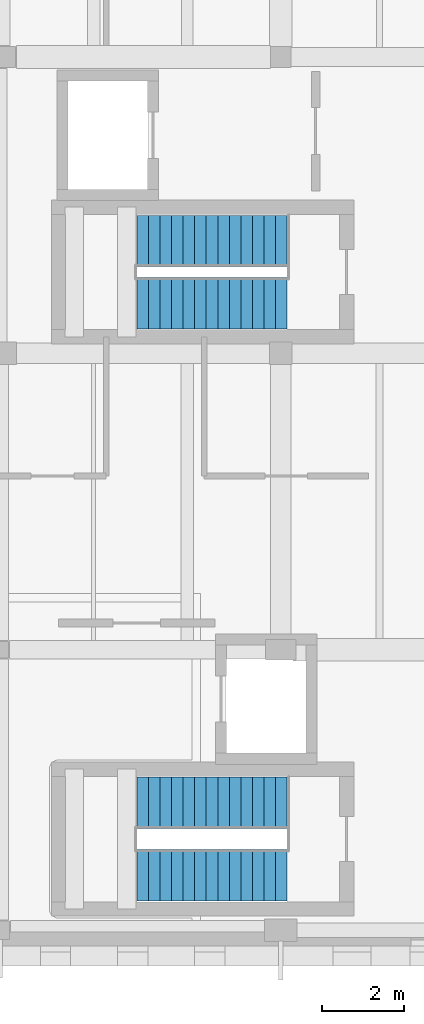
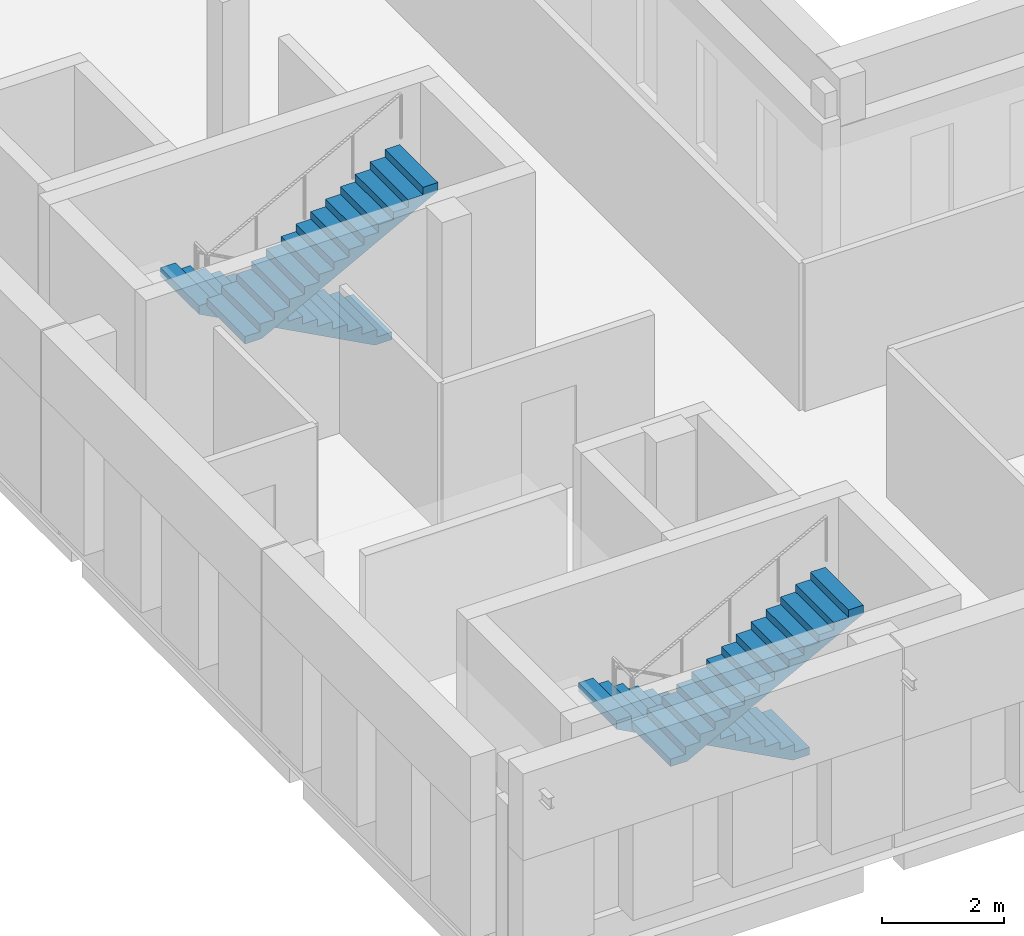
# One storey, part 27 of 34: 4 stair flights, 2 elements without a shape of their own.
"""IFC4 building model written with IfcOpenShell, lengths in metres."""

from ifc_helpers import new_model, si_unit, direction, frame, origin, place, context, subcontext, project, spatial, polyline, outline, extrude, material, type_object, element, aggregate, save


model = new_model("IFC4")

# Units and contexts
model_context = context("Model", 3, precision=1e-05, world=origin(), true_north=direction((0.0, 1.0)))
body_context = subcontext(model_context, "Body", "Model", "MODEL_VIEW")
ifc_project = project(units=[si_unit("LENGTHUNIT", "METRE"), si_unit("AREAUNIT", "SQUARE_METRE"), si_unit("VOLUMEUNIT", "CUBIC_METRE"), si_unit("PLANEANGLEUNIT", "RADIAN"), si_unit("MASSUNIT", "GRAM", prefix="KILO")], contexts=[model_context])

# Site, building, storey
site_placement = place(None, origin())
site = spatial("IfcSite", under=ifc_project, at=site_placement, CompositionType="ELEMENT")
building_placement = place(site_placement, origin())
building = spatial("IfcBuilding", under=site, at=building_placement, Name="Vardoun Plaza Health Centre", CompositionType="ELEMENT")
storey_placement = place(building_placement, frame((0.0, 0.0, 12.89990234375)))
storey = spatial("IfcBuildingStorey", under=building, at=storey_placement, Name="L03", CompositionType="ELEMENT", Elevation=12.89990234375)

# Stair, stair flights
ifc_material_1 = material(Name="Concrete C35/45", Category="concrete")
stair_type = type_object("IfcStairType", Name="ST-01", PredefinedType="HALF_TURN_STAIR", material=ifc_material_1)
stair_1_placement = place(storey_placement, origin())
stair_1 = element("IfcStair", 1, at=stair_1_placement, inside=storey, type_object=stair_type, Name="Core C1 L03 Exit Stair ST-C1-L03", PredefinedType="HALF_TURN_STAIR")
ifc_material_2 = material(Name="Concrete C35/45", Category="concrete")
stair_flight_type = type_object("IfcStairFlightType", Name="SF-01", PredefinedType="STRAIGHT", material=ifc_material_2)
stair_flight_1_placement = place(storey_placement, frame((11.85009765625, 7.97998046875, 0.0), z_axis=(0.0, 0.0, 1.0), x_axis=(-1.0, 0.0, 0.0)))
stair_flight_1 = element("IfcStairFlight", 2, at=stair_flight_1_placement, type_object=stair_flight_type, Name="ST-C1-L03 flight 1", NumberOfRisers=14, NumberOfTreads=13, PredefinedType="STRAIGHT", RiserHeight=0.15, TreadLength=0.28, context=body_context, shape_type="SweptSolid", body=[
    extrude(outline(polyline([(0.0, 0.0), (0.0, 0.14990234375), (0.280029296875, 0.14990234375), (0.280029296875, 0.300048828125), (0.56005859375, 0.300048828125), (0.56005859375, 0.449951171875), (0.840087890625, 0.449951171875), (0.840087890625, 0.60009765625), (1.1201171875, 0.60009765625), (1.1201171875, 0.75), (1.39990234375, 0.75), (1.39990234375, 0.89990234375), (1.679931640625, 0.89990234375), (1.679931640625, 1.050048828125), (1.9599609375, 1.050048828125), (1.9599609375, 1.199951171875), (2.239990234375, 1.199951171875), (2.239990234375, 1.35009765625), (2.52001953125, 1.35009765625), (2.52001953125, 1.5), (2.800048828125, 1.5), (2.800048828125, 1.64990234375), (3.080078125, 1.64990234375), (3.080078125, 1.800048828125), (3.360107421875, 1.800048828125), (3.360107421875, 1.949951171875), (3.639892578125, 1.949951171875), (3.639892578125, 2.10009765625), (3.639892578125, 1.780029296875), (0.3173828125, 0.0), (0.0, 0.0)])), frame((0.0, 0.625, 0.0), z_axis=(0.0, -1.0, 0.0), x_axis=(1.0, 0.0, 0.0)), (0.0, 0.0, 1.0), 1.25),
])
stair_flight_2_placement = place(storey_placement, frame((8.2099609375, 6.219970703125, 2.10009765625), z_axis=(0.0, 0.0, 1.0), x_axis=(1.0, 0.0, 0.0)))
stair_flight_2 = element("IfcStairFlight", 3, at=stair_flight_2_placement, type_object=stair_flight_type, Name="ST-C1-L03 flight 2", NumberOfRisers=14, NumberOfTreads=13, PredefinedType="STRAIGHT", RiserHeight=0.15, TreadLength=0.28, context=body_context, shape_type="SweptSolid", body=[
    extrude(outline(polyline([(0.0, 0.0), (0.0, 0.14990234375), (0.280029296875, 0.14990234375), (0.280029296875, 0.300048828125), (0.56005859375, 0.300048828125), (0.56005859375, 0.449951171875), (0.840087890625, 0.449951171875), (0.840087890625, 0.60009765625), (1.1201171875, 0.60009765625), (1.1201171875, 0.75), (1.39990234375, 0.75), (1.39990234375, 0.89990234375), (1.679931640625, 0.89990234375), (1.679931640625, 1.050048828125), (1.9599609375, 1.050048828125), (1.9599609375, 1.199951171875), (2.239990234375, 1.199951171875), (2.239990234375, 1.35009765625), (2.52001953125, 1.35009765625), (2.52001953125, 1.5), (2.800048828125, 1.5), (2.800048828125, 1.64990234375), (3.080078125, 1.64990234375), (3.080078125, 1.800048828125), (3.360107421875, 1.800048828125), (3.360107421875, 1.949951171875), (3.639892578125, 1.949951171875), (3.639892578125, 2.10009765625), (3.639892578125, 1.780029296875), (0.3173828125, 0.0), (0.0, 0.0)])), frame((0.0, 0.625, 0.0), z_axis=(0.0, -1.0, 0.0), x_axis=(1.0, 0.0, 0.0)), (0.0, 0.0, 1.0), 1.25),
])
aggregate(stair_1, [stair_flight_1, stair_flight_2])

stair_2_placement = place(storey_placement, origin())
stair_2 = element("IfcStair", 4, at=stair_2_placement, inside=storey, type_object=stair_type, Name="Core C2 L03 Exit Stair ST-C2-L03", PredefinedType="HALF_TURN_STAIR")
stair_flight_3_placement = place(storey_placement, frame((11.85009765625, 21.6298828125, 0.0), z_axis=(0.0, 0.0, 1.0), x_axis=(-1.0, 0.0, 0.0)))
stair_flight_3 = element("IfcStairFlight", 5, at=stair_flight_3_placement, type_object=stair_flight_type, Name="ST-C2-L03 flight 1", NumberOfRisers=14, NumberOfTreads=13, PredefinedType="STRAIGHT", RiserHeight=0.15, TreadLength=0.28, context=body_context, shape_type="SweptSolid", body=[
    extrude(outline(polyline([(0.0, 0.0), (0.0, 0.14990234375), (0.280029296875, 0.14990234375), (0.280029296875, 0.300048828125), (0.56005859375, 0.300048828125), (0.56005859375, 0.449951171875), (0.840087890625, 0.449951171875), (0.840087890625, 0.60009765625), (1.1201171875, 0.60009765625), (1.1201171875, 0.75), (1.39990234375, 0.75), (1.39990234375, 0.89990234375), (1.679931640625, 0.89990234375), (1.679931640625, 1.050048828125), (1.9599609375, 1.050048828125), (1.9599609375, 1.199951171875), (2.239990234375, 1.199951171875), (2.239990234375, 1.35009765625), (2.52001953125, 1.35009765625), (2.52001953125, 1.5), (2.800048828125, 1.5), (2.800048828125, 1.64990234375), (3.080078125, 1.64990234375), (3.080078125, 1.800048828125), (3.360107421875, 1.800048828125), (3.360107421875, 1.949951171875), (3.639892578125, 1.949951171875), (3.639892578125, 2.10009765625), (3.639892578125, 1.780029296875), (0.3173828125, 0.0), (0.0, 0.0)])), frame((0.0, 0.625, 0.0), z_axis=(0.0, -1.0, 0.0), x_axis=(1.0, 0.0, 0.0)), (0.0, 0.0, 1.0), 1.25),
])
stair_flight_4_placement = place(storey_placement, frame((8.2099609375, 20.1201171875, 2.10009765625), z_axis=(0.0, 0.0, 1.0), x_axis=(1.0, 0.0, 0.0)))
stair_flight_4 = element("IfcStairFlight", 6, at=stair_flight_4_placement, type_object=stair_flight_type, Name="ST-C2-L03 flight 2", NumberOfRisers=14, NumberOfTreads=13, PredefinedType="STRAIGHT", RiserHeight=0.15, TreadLength=0.28, context=body_context, shape_type="SweptSolid", body=[
    extrude(outline(polyline([(0.0, 0.0), (0.0, 0.14990234375), (0.280029296875, 0.14990234375), (0.280029296875, 0.300048828125), (0.56005859375, 0.300048828125), (0.56005859375, 0.449951171875), (0.840087890625, 0.449951171875), (0.840087890625, 0.60009765625), (1.1201171875, 0.60009765625), (1.1201171875, 0.75), (1.39990234375, 0.75), (1.39990234375, 0.89990234375), (1.679931640625, 0.89990234375), (1.679931640625, 1.050048828125), (1.9599609375, 1.050048828125), (1.9599609375, 1.199951171875), (2.239990234375, 1.199951171875), (2.239990234375, 1.35009765625), (2.52001953125, 1.35009765625), (2.52001953125, 1.5), (2.800048828125, 1.5), (2.800048828125, 1.64990234375), (3.080078125, 1.64990234375), (3.080078125, 1.800048828125), (3.360107421875, 1.800048828125), (3.360107421875, 1.949951171875), (3.639892578125, 1.949951171875), (3.639892578125, 2.10009765625), (3.639892578125, 1.780029296875), (0.3173828125, 0.0), (0.0, 0.0)])), frame((0.0, 0.625, 0.0), z_axis=(0.0, -1.0, 0.0), x_axis=(1.0, 0.0, 0.0)), (0.0, 0.0, 1.0), 1.25),
])
aggregate(stair_2, [stair_flight_3, stair_flight_4])

save(model, "model.ifc")
